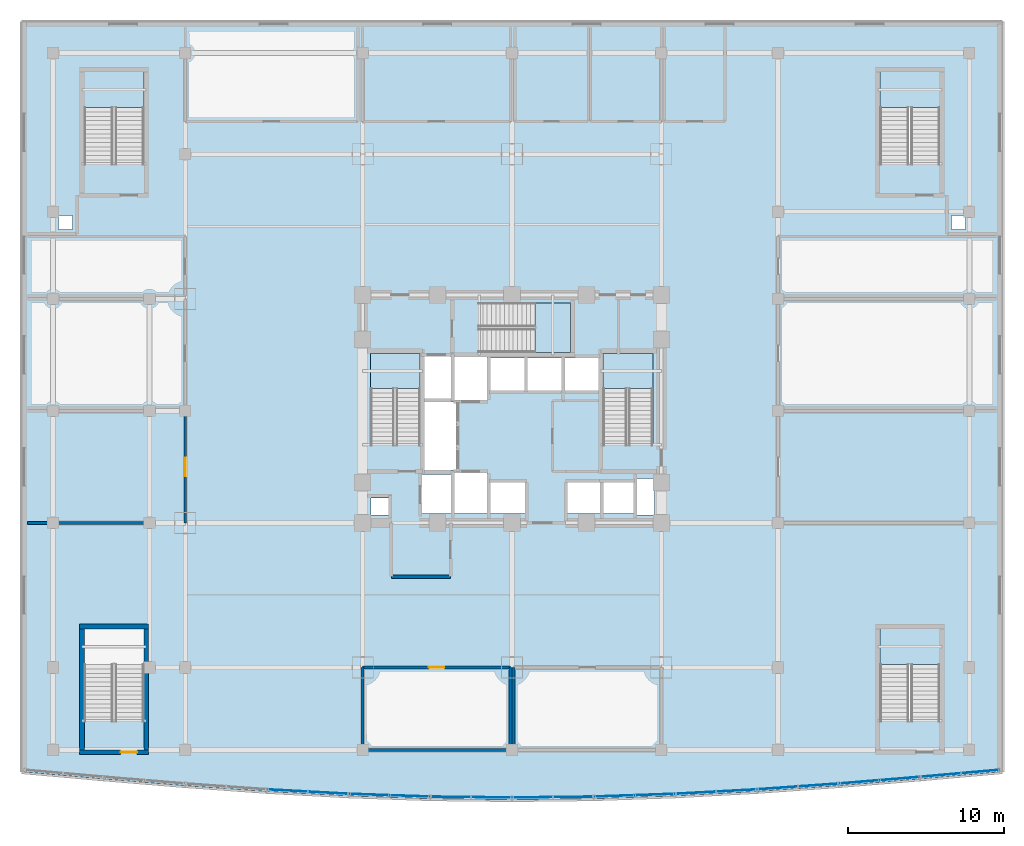
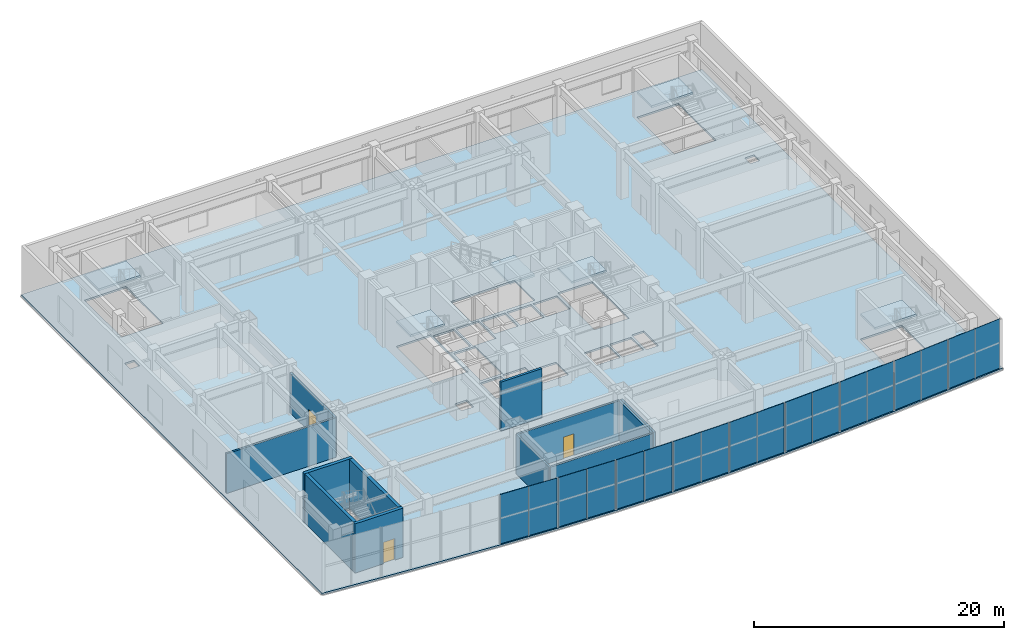
# One storey, part 11 of 24: 18 plates, 12 walls, 7 slabs, 3 doors, 3 openings, 15 elements without a shape of their own.
"""IFC4 building model written with IfcOpenShell, lengths in metres."""

from ifc_helpers import new_model, si_unit, direction, frame, frame_2d, origin, origin_2d, place, context, subcontext, project, spatial, polyline, rectangle, outline, extrude, material, layer, layer_set, type_object, element, fill, aggregate, save


model = new_model("IFC4")

# Units and contexts
model_context = context("Model", 3, precision=1e-05, world=origin(), true_north=direction((0.0, 1.0)))
body_context = subcontext(model_context, "Body", "Model", "MODEL_VIEW")
ifc_project = project(units=[si_unit("LENGTHUNIT", "METRE"), si_unit("AREAUNIT", "SQUARE_METRE"), si_unit("VOLUMEUNIT", "CUBIC_METRE"), si_unit("PLANEANGLEUNIT", "RADIAN"), si_unit("MASSUNIT", "GRAM", prefix="KILO")], contexts=[model_context])

# Site, building, storey
site_placement = place(None, origin())
site = spatial("IfcSite", under=ifc_project, at=site_placement, CompositionType="ELEMENT")
building_placement = place(site_placement, origin())
building = spatial("IfcBuilding", under=site, at=building_placement, Name="Vantalir Tower", CompositionType="ELEMENT")
storey_placement = place(building_placement, frame((0.0, 0.0, 11.0)))
storey = spatial("IfcBuildingStorey", under=building, at=storey_placement, Name="L02", CompositionType="ELEMENT", Elevation=11.0)

# Curtain wall, plates
ifc_material_1 = material(Name="Champagne-silver PVDF aluminium and double-silver Low-E glass", Category="aluminium")
ifc_layer_1 = layer(ifc_material_1, 0.239990234375)
ifc_layer_set_1 = layer_set([ifc_layer_1], Name="Champagne-silver PVDF aluminium and double-silver Low-E glass")
curtain_wall_type = type_object("IfcCurtainWallType", Name="CW-PODIUM-WF", PredefinedType="USERDEFINED", material=ifc_layer_set_1)
curtain_wall_1_placement = place(storey_placement, origin())
curtain_wall_1 = element("IfcCurtainWall", 1, at=curtain_wall_1_placement, inside=storey, type_object=curtain_wall_type, Name="Level 02 Waterfront Stick Curtain Wall 04", ObjectType="STICK CURTAIN WALL", PredefinedType="USERDEFINED")
ifc_material_2 = material(Name="Laminated waterfront podium glass IGU", Category="glass")
ifc_layer_2 = layer(ifc_material_2, 0.0400390625)
ifc_layer_set_2 = layer_set([ifc_layer_2], Name="Laminated waterfront podium glass IGU")
plate_type = type_object("IfcPlateType", Name="CWP-IGU-POD-40", PredefinedType="CURTAIN_PANEL", material=ifc_layer_set_2)
plate_1_placement = place(storey_placement, frame((17.0869140625, 0.593994140625, -0.008056640625), z_axis=(0.0, 0.0, 1.0), x_axis=(0.998519631691, -0.054392509858, 0.0)))
plate_1 = element("IfcPlate", 2, at=plate_1_placement, type_object=plate_type, Name="CW-L02-WF-04 Glazed Panel 1", PredefinedType="CURTAIN_PANEL", context=body_context, shape_type="SweptSolid", body=[
    extrude(rectangle(XDim=2.55908203125, YDim=0.0400390625, at=origin_2d()), origin(), (0.0, 0.0, 1.0), 4.8359375),
])
plate_2_placement = place(storey_placement, frame((19.6630859375, 0.4541015625, -0.008056640625), z_axis=(0.0, 0.0, 1.0), x_axis=(0.998519631691, -0.054392509858, 0.0)))
plate_2 = element("IfcPlate", 3, at=plate_2_placement, type_object=plate_type, Name="CW-L02-WF-04 Glazed Panel 2", PredefinedType="CURTAIN_PANEL", context=body_context, shape_type="SweptSolid", body=[
    extrude(rectangle(XDim=2.55908203125, YDim=0.0400390625, at=origin_2d()), origin(), (0.0, 0.0, 1.0), 4.8359375),
])
aggregate(curtain_wall_1, [plate_1, plate_2])

curtain_wall_2_placement = place(storey_placement, origin())
curtain_wall_2 = element("IfcCurtainWall", 4, at=curtain_wall_2_placement, inside=storey, type_object=curtain_wall_type, Name="Level 02 Waterfront Stick Curtain Wall 05", ObjectType="STICK CURTAIN WALL", PredefinedType="USERDEFINED")
plate_3_placement = place(storey_placement, frame((22.3369140625, 0.3349609375, -0.008056640625), z_axis=(0.0, 0.0, 1.0), x_axis=(0.999412557746, -0.034271554079, 0.0)))
plate_3 = element("IfcPlate", 5, at=plate_3_placement, type_object=plate_type, Name="CW-L02-WF-05 Glazed Panel 1", PredefinedType="CURTAIN_PANEL", context=body_context, shape_type="SweptSolid", body=[
    extrude(rectangle(XDim=2.556884765625, YDim=0.0400390625, at=origin_2d()), origin(), (0.0, 0.0, 1.0), 4.8359375),
])
plate_4_placement = place(storey_placement, frame((24.9130859375, 0.2470703125, -0.008056640625), z_axis=(0.0, 0.0, 1.0), x_axis=(0.999412557746, -0.034271554079, 0.0)))
plate_4 = element("IfcPlate", 6, at=plate_4_placement, type_object=plate_type, Name="CW-L02-WF-05 Glazed Panel 2", PredefinedType="CURTAIN_PANEL", context=body_context, shape_type="SweptSolid", body=[
    extrude(rectangle(XDim=2.556884765625, YDim=0.0400390625, at=origin_2d()), origin(), (0.0, 0.0, 1.0), 4.8359375),
])
aggregate(curtain_wall_2, [plate_3, plate_4])

curtain_wall_3_placement = place(storey_placement, origin())
curtain_wall_3 = element("IfcCurtainWall", 7, at=curtain_wall_3_placement, inside=storey, type_object=curtain_wall_type, Name="Level 02 Waterfront Stick Curtain Wall 06", ObjectType="STICK CURTAIN WALL", PredefinedType="USERDEFINED")
plate_5_placement = place(storey_placement, frame((27.5869140625, 0.18505859375, -0.008056640625), z_axis=(0.0, 0.0, 1.0), x_axis=(0.999932443319, -0.01162363106, 0.0)))
plate_5 = element("IfcPlate", 8, at=plate_5_placement, type_object=plate_type, Name="CW-L02-WF-06 Glazed Panel 1", PredefinedType="CURTAIN_PANEL", context=body_context, shape_type="SweptSolid", body=[
    extrude(rectangle(XDim=2.554931640625, YDim=0.0400390625, at=origin_2d()), origin(), (0.0, 0.0, 1.0), 4.8359375),
])
plate_6_placement = place(storey_placement, frame((30.1630859375, 0.156005859375, -0.008056640625), z_axis=(0.0, 0.0, 1.0), x_axis=(0.999932443319, -0.01162363106, 0.0)))
plate_6 = element("IfcPlate", 9, at=plate_6_placement, type_object=plate_type, Name="CW-L02-WF-06 Glazed Panel 2", PredefinedType="CURTAIN_PANEL", context=body_context, shape_type="SweptSolid", body=[
    extrude(rectangle(XDim=2.554931640625, YDim=0.0400390625, at=origin_2d()), origin(), (0.0, 0.0, 1.0), 4.8359375),
])
aggregate(curtain_wall_3, [plate_5, plate_6])

curtain_wall_4_placement = place(storey_placement, origin())
curtain_wall_4 = element("IfcCurtainWall", 10, at=curtain_wall_4_placement, inside=storey, type_object=curtain_wall_type, Name="Level 02 Waterfront Stick Curtain Wall 07", ObjectType="STICK CURTAIN WALL", PredefinedType="USERDEFINED")
plate_7_placement = place(storey_placement, frame((32.8369140625, 0.156005859375, -0.008056640625), z_axis=(0.0, 0.0, 1.0), x_axis=(0.999932443319, 0.01162363106, 0.0)))
plate_7 = element("IfcPlate", 11, at=plate_7_placement, type_object=plate_type, Name="CW-L02-WF-07 Glazed Panel 1", PredefinedType="CURTAIN_PANEL", context=body_context, shape_type="SweptSolid", body=[
    extrude(rectangle(XDim=2.554931640625, YDim=0.0400390625, at=origin_2d()), origin(), (0.0, 0.0, 1.0), 4.8359375),
])
plate_8_placement = place(storey_placement, frame((35.4130859375, 0.18505859375, -0.008056640625), z_axis=(0.0, 0.0, 1.0), x_axis=(0.999932443319, 0.01162363106, 0.0)))
plate_8 = element("IfcPlate", 12, at=plate_8_placement, type_object=plate_type, Name="CW-L02-WF-07 Glazed Panel 2", PredefinedType="CURTAIN_PANEL", context=body_context, shape_type="SweptSolid", body=[
    extrude(rectangle(XDim=2.554931640625, YDim=0.0400390625, at=origin_2d()), origin(), (0.0, 0.0, 1.0), 4.8359375),
])
aggregate(curtain_wall_4, [plate_7, plate_8])

curtain_wall_5_placement = place(storey_placement, origin())
curtain_wall_5 = element("IfcCurtainWall", 13, at=curtain_wall_5_placement, inside=storey, type_object=curtain_wall_type, Name="Level 02 Waterfront Stick Curtain Wall 08", ObjectType="STICK CURTAIN WALL", PredefinedType="USERDEFINED")
plate_9_placement = place(storey_placement, frame((38.0869140625, 0.2470703125, -0.008056640625), z_axis=(0.0, 0.0, 1.0), x_axis=(0.999412557746, 0.034271554079, 0.0)))
plate_9 = element("IfcPlate", 14, at=plate_9_placement, type_object=plate_type, Name="CW-L02-WF-08 Glazed Panel 1", PredefinedType="CURTAIN_PANEL", context=body_context, shape_type="SweptSolid", body=[
    extrude(rectangle(XDim=2.556884765625, YDim=0.0400390625, at=origin_2d()), origin(), (0.0, 0.0, 1.0), 4.8359375),
])
plate_10_placement = place(storey_placement, frame((40.6630859375, 0.3349609375, -0.008056640625), z_axis=(0.0, 0.0, 1.0), x_axis=(0.999412557746, 0.034271554079, 0.0)))
plate_10 = element("IfcPlate", 15, at=plate_10_placement, type_object=plate_type, Name="CW-L02-WF-08 Glazed Panel 2", PredefinedType="CURTAIN_PANEL", context=body_context, shape_type="SweptSolid", body=[
    extrude(rectangle(XDim=2.556884765625, YDim=0.0400390625, at=origin_2d()), origin(), (0.0, 0.0, 1.0), 4.8359375),
])
aggregate(curtain_wall_5, [plate_9, plate_10])

curtain_wall_6_placement = place(storey_placement, origin())
curtain_wall_6 = element("IfcCurtainWall", 16, at=curtain_wall_6_placement, inside=storey, type_object=curtain_wall_type, Name="Level 02 Waterfront Stick Curtain Wall 09", ObjectType="STICK CURTAIN WALL", PredefinedType="USERDEFINED")
plate_11_placement = place(storey_placement, frame((43.3369140625, 0.4541015625, -0.008056640625), z_axis=(0.0, 0.0, 1.0), x_axis=(0.998519631691, 0.054392509858, 0.0)))
plate_11 = element("IfcPlate", 17, at=plate_11_placement, type_object=plate_type, Name="CW-L02-WF-09 Glazed Panel 1", PredefinedType="CURTAIN_PANEL", context=body_context, shape_type="SweptSolid", body=[
    extrude(rectangle(XDim=2.55908203125, YDim=0.0400390625, at=origin_2d()), origin(), (0.0, 0.0, 1.0), 4.8359375),
])
plate_12_placement = place(storey_placement, frame((45.9130859375, 0.593994140625, -0.008056640625), z_axis=(0.0, 0.0, 1.0), x_axis=(0.998519631691, 0.054392509858, 0.0)))
plate_12 = element("IfcPlate", 18, at=plate_12_placement, type_object=plate_type, Name="CW-L02-WF-09 Glazed Panel 2", PredefinedType="CURTAIN_PANEL", context=body_context, shape_type="SweptSolid", body=[
    extrude(rectangle(XDim=2.55908203125, YDim=0.0400390625, at=origin_2d()), origin(), (0.0, 0.0, 1.0), 4.8359375),
])
aggregate(curtain_wall_6, [plate_11, plate_12])

curtain_wall_7_placement = place(storey_placement, origin())
curtain_wall_7 = element("IfcCurtainWall", 19, at=curtain_wall_7_placement, inside=storey, type_object=curtain_wall_type, Name="Level 02 Waterfront Stick Curtain Wall 10", ObjectType="STICK CURTAIN WALL", PredefinedType="USERDEFINED")
plate_13_placement = place(storey_placement, frame((48.5869140625, 0.761962890625, -0.008056640625), z_axis=(0.0, 0.0, 1.0), x_axis=(0.99748550921, 0.070870719734, 0.0)))
plate_13 = element("IfcPlate", 20, at=plate_13_placement, type_object=plate_type, Name="CW-L02-WF-10 Glazed Panel 1", PredefinedType="CURTAIN_PANEL", context=body_context, shape_type="SweptSolid", body=[
    extrude(rectangle(XDim=2.56201171875, YDim=0.0400390625, at=origin_2d()), origin(), (0.0, 0.0, 1.0), 4.8359375),
])
plate_14_placement = place(storey_placement, frame((51.1630859375, 0.945068359375, -0.008056640625), z_axis=(0.0, 0.0, 1.0), x_axis=(0.99748550921, 0.070870719734, 0.0)))
plate_14 = element("IfcPlate", 21, at=plate_14_placement, type_object=plate_type, Name="CW-L02-WF-10 Glazed Panel 2", PredefinedType="CURTAIN_PANEL", context=body_context, shape_type="SweptSolid", body=[
    extrude(rectangle(XDim=2.56201171875, YDim=0.0400390625, at=origin_2d()), origin(), (0.0, 0.0, 1.0), 4.8359375),
])
aggregate(curtain_wall_7, [plate_13, plate_14])

curtain_wall_8_placement = place(storey_placement, origin())
curtain_wall_8 = element("IfcCurtainWall", 22, at=curtain_wall_8_placement, inside=storey, type_object=curtain_wall_type, Name="Level 02 Waterfront Stick Curtain Wall 11", ObjectType="STICK CURTAIN WALL", PredefinedType="USERDEFINED")
plate_15_placement = place(storey_placement, frame((53.8369140625, 1.15087890625, -0.008056640625), z_axis=(0.0, 0.0, 1.0), x_axis=(0.996600101689, 0.082390759878, 0.0)))
plate_15 = element("IfcPlate", 23, at=plate_15_placement, type_object=plate_type, Name="CW-L02-WF-11 Glazed Panel 1", PredefinedType="CURTAIN_PANEL", context=body_context, shape_type="SweptSolid", body=[
    extrude(rectangle(XDim=2.56396484375, YDim=0.0400390625, at=origin_2d()), origin(), (0.0, 0.0, 1.0), 4.8359375),
])
plate_16_placement = place(storey_placement, frame((56.4130859375, 1.363037109375, -0.008056640625), z_axis=(0.0, 0.0, 1.0), x_axis=(0.996600101689, 0.082390759878, 0.0)))
plate_16 = element("IfcPlate", 24, at=plate_16_placement, type_object=plate_type, Name="CW-L02-WF-11 Glazed Panel 2", PredefinedType="CURTAIN_PANEL", context=body_context, shape_type="SweptSolid", body=[
    extrude(rectangle(XDim=2.56396484375, YDim=0.0400390625, at=origin_2d()), origin(), (0.0, 0.0, 1.0), 4.8359375),
])
aggregate(curtain_wall_8, [plate_15, plate_16])

curtain_wall_9_placement = place(storey_placement, origin())
curtain_wall_9 = element("IfcCurtainWall", 25, at=curtain_wall_9_placement, inside=storey, type_object=curtain_wall_type, Name="Level 02 Waterfront Stick Curtain Wall 12", ObjectType="STICK CURTAIN WALL", PredefinedType="USERDEFINED")
plate_17_placement = place(storey_placement, frame((59.0869140625, 1.593017578125, -0.008056640625), z_axis=(0.0, 0.0, 1.0), x_axis=(0.99608438842, 0.088407528781, 0.0)))
plate_17 = element("IfcPlate", 26, at=plate_17_placement, type_object=plate_type, Name="CW-L02-WF-12 Glazed Panel 1", PredefinedType="CURTAIN_PANEL", context=body_context, shape_type="SweptSolid", body=[
    extrude(rectangle(XDim=2.56494140625, YDim=0.0400390625, at=origin_2d()), origin(), (0.0, 0.0, 1.0), 4.8359375),
])
plate_18_placement = place(storey_placement, frame((61.597900390625, 1.81591796875, -0.008056640625), z_axis=(0.0, 0.0, 1.0), x_axis=(0.99608438842, 0.088407528781, 0.0)))
plate_18 = element("IfcPlate", 27, at=plate_18_placement, type_object=plate_type, Name="CW-L02-WF-12 Glazed Panel 2", PredefinedType="CURTAIN_PANEL", context=body_context, shape_type="SweptSolid", body=[
    extrude(rectangle(XDim=2.43505859375, YDim=0.0400390625, at=origin_2d()), origin(), (0.0, 0.0, 1.0), 4.8359375),
])
aggregate(curtain_wall_9, [plate_17, plate_18])

# Stair, slab
ifc_material_3 = material(Name="Concrete C40/50", Category="concrete")
stair_type_1 = type_object("IfcStairType", Name="STR-CORE-1450", PredefinedType="HALF_TURN_STAIR", material=ifc_material_3)
stair_1_placement = place(storey_placement, origin())
stair_1 = element("IfcStair", 28, at=stair_1_placement, inside=storey, type_object=stair_type_1, Name="Level 02 Core Exit Stair 1", PredefinedType="HALF_TURN_STAIR")
ifc_layer_3 = layer(ifc_material_3, 0.199951171875)
ifc_layer_set_3 = layer_set([ifc_layer_3], Name="Concrete C40/50")
slab_type_1 = type_object("IfcSlabType", Name="SL-LAND-200", PredefinedType="LANDING", material=ifc_layer_set_3)
slab_1_placement = place(storey_placement, frame((0.0, 0.0, 2.300048828125)))
slab_1 = element("IfcSlab", 29, at=slab_1_placement, type_object=slab_type_1, Name="ST1 landing 1", PredefinedType="LANDING", context=body_context, shape_type="SweptSolid", body=[
    extrude(outline(polyline([(25.60009765625, 26.429931640625), (25.60009765625, 28.699951171875), (22.39990234375, 28.699951171875), (22.39990234375, 26.429931640625), (25.60009765625, 26.429931640625)])), origin(), (0.0, 0.0, 1.0), 0.199951171875),
])
aggregate(stair_1, [slab_1])

stair_2_placement = place(storey_placement, origin())
stair_2 = element("IfcStair", 30, at=stair_2_placement, inside=storey, type_object=stair_type_1, Name="Level 02 Core Exit Stair 2", PredefinedType="HALF_TURN_STAIR")
slab_2_placement = place(storey_placement, frame((0.0, 0.0, 2.300048828125)))
slab_2 = element("IfcSlab", 31, at=slab_2_placement, type_object=slab_type_1, Name="ST2 landing 1", PredefinedType="LANDING", context=body_context, shape_type="SweptSolid", body=[
    extrude(outline(polyline([(40.550048828125, 26.429931640625), (40.550048828125, 28.699951171875), (37.35009765625, 28.699951171875), (37.35009765625, 26.429931640625), (40.550048828125, 26.429931640625)])), origin(), (0.0, 0.0, 1.0), 0.199951171875),
])
aggregate(stair_2, [slab_2])

stair_3_placement = place(storey_placement, origin())
stair_3 = element("IfcStair", 32, at=stair_3_placement, inside=storey, type_object=stair_type_1, Name="Level 02 Core Exit Stair 3", PredefinedType="HALF_TURN_STAIR")
slab_3_placement = place(storey_placement, frame((0.0, 0.0, 2.300048828125)))
slab_3 = element("IfcSlab", 33, at=slab_3_placement, type_object=slab_type_1, Name="ST3 landing 1", PredefinedType="LANDING", context=body_context, shape_type="SweptSolid", body=[
    extrude(outline(polyline([(32.97998046875, 28.75), (35.25, 28.75), (35.25, 31.949951171875), (32.97998046875, 31.949951171875), (32.97998046875, 28.75)])), origin(), (0.0, 0.0, 1.0), 0.199951171875),
])
aggregate(stair_3, [slab_3])

stair_type_2 = type_object("IfcStairType", Name="STR-POD-1550", PredefinedType="HALF_TURN_STAIR", material=ifc_material_3)
stair_4_placement = place(storey_placement, origin())
stair_4 = element("IfcStair", 34, at=stair_4_placement, inside=storey, type_object=stair_type_2, Name="Level 02 Podium Exit Stair 1", PredefinedType="HALF_TURN_STAIR")
slab_4_placement = place(storey_placement, frame((0.0, 0.0, 2.300048828125)))
slab_4 = element("IfcSlab", 35, at=slab_4_placement, type_object=slab_type_1, Name="PST1 landing 1", PredefinedType="LANDING", context=body_context, shape_type="SweptSolid", body=[
    extrude(outline(polyline([(7.85009765625, 44.489990234375), (7.85009765625, 46.800048828125), (4.0, 46.800048828125), (4.0, 44.489990234375), (7.85009765625, 44.489990234375)])), origin(), (0.0, 0.0, 1.0), 0.199951171875),
])
aggregate(stair_4, [slab_4])

stair_5_placement = place(storey_placement, origin())
stair_5 = element("IfcStair", 36, at=stair_5_placement, inside=storey, type_object=stair_type_2, Name="Level 02 Podium Exit Stair 2", PredefinedType="HALF_TURN_STAIR")
slab_5_placement = place(storey_placement, frame((0.0, 0.0, 2.300048828125)))
slab_5 = element("IfcSlab", 37, at=slab_5_placement, type_object=slab_type_1, Name="PST2 landing 1", PredefinedType="LANDING", context=body_context, shape_type="SweptSolid", body=[
    extrude(outline(polyline([(59.0, 44.489990234375), (59.0, 46.800048828125), (55.14990234375, 46.800048828125), (55.14990234375, 44.489990234375), (59.0, 44.489990234375)])), origin(), (0.0, 0.0, 1.0), 0.199951171875),
])
aggregate(stair_5, [slab_5])

stair_6_placement = place(storey_placement, origin())
stair_6 = element("IfcStair", 38, at=stair_6_placement, inside=storey, type_object=stair_type_2, Name="Level 02 Podium Exit Stair 4", PredefinedType="HALF_TURN_STAIR")
slab_6_placement = place(storey_placement, frame((0.0, 0.0, 2.300048828125)))
slab_6 = element("IfcSlab", 39, at=slab_6_placement, type_object=slab_type_1, Name="PST4 landing 1", PredefinedType="LANDING", context=body_context, shape_type="SweptSolid", body=[
    extrude(outline(polyline([(59.0, 8.68994140625), (59.0, 11.0), (55.14990234375, 11.0), (55.14990234375, 8.68994140625), (59.0, 8.68994140625)])), origin(), (0.0, 0.0, 1.0), 0.199951171875),
])
aggregate(stair_6, [slab_6])

# Slab
ifc_layer_4 = layer(ifc_material_3, 0.179931640625)
ifc_layer_set_4 = layer_set([ifc_layer_4], Name="Concrete C40/50")
slab_type_2 = type_object("IfcSlabType", Name="SL-TWR-180", PredefinedType="FLOOR", material=ifc_layer_set_4)
slab_7_placement = place(storey_placement, frame((0.0, 0.0, -0.179931640625)))
element("IfcSlab", 40, at=slab_7_placement, inside=storey, type_object=slab_type_2, Name="Level 02 Primary Structural Slab", PredefinedType="FLOOR", context=body_context, shape_type="SweptSolid", body=[
    extrude(outline(polyline([(47.25, 0.527099609375), (52.5, 0.89990234375), (57.75, 1.333984375), (63.0, 1.800048828125), (63.0, 50.0), (0.0, 50.0), (0.0, 1.800048828125), (5.25, 1.333984375), (10.5, 0.89990234375), (15.75, 0.527099609375), (21.0, 0.240966796875), (26.25, 0.06103515625), (31.5, 0.0), (36.75, 0.06103515625), (42.0, 0.240966796875), (47.25, 0.527099609375)]), holes=[polyline([(25.60009765625, 28.699951171875), (25.60009765625, 22.7900390625), (22.39990234375, 22.7900390625), (22.39990234375, 28.699951171875), (25.60009765625, 28.699951171875)]), polyline([(40.550048828125, 22.7900390625), (37.35009765625, 22.7900390625), (37.35009765625, 28.699951171875), (40.550048828125, 28.699951171875), (40.550048828125, 22.7900390625)]), polyline([(29.340087890625, 31.949951171875), (35.25, 31.949951171875), (35.25, 28.75), (29.340087890625, 28.75), (29.340087890625, 31.949951171875)]), polyline([(4.0, 46.800048828125), (7.85009765625, 46.800048828125), (7.85009765625, 40.85009765625), (4.0, 40.85009765625), (4.0, 46.800048828125)]), polyline([(59.0, 46.800048828125), (59.0, 40.85009765625), (55.14990234375, 40.85009765625), (55.14990234375, 46.800048828125), (59.0, 46.800048828125)]), polyline([(7.85009765625, 5.050048828125), (4.0, 5.050048828125), (4.0, 11.0), (7.85009765625, 11.0), (7.85009765625, 5.050048828125)]), polyline([(55.14990234375, 5.050048828125), (55.14990234375, 11.0), (59.0, 11.0), (59.0, 5.050048828125), (55.14990234375, 5.050048828125)]), polyline([(25.699951171875, 20.89990234375), (27.60009765625, 20.89990234375), (27.60009765625, 18.39990234375), (25.699951171875, 18.39990234375), (25.699951171875, 20.89990234375)]), polyline([(27.60009765625, 28.5), (27.60009765625, 25.800048828125), (25.699951171875, 25.800048828125), (25.699951171875, 28.5), (27.60009765625, 28.5)]), polyline([(29.89990234375, 18.39990234375), (27.800048828125, 18.39990234375), (27.800048828125, 21.0), (29.89990234375, 21.0), (29.89990234375, 18.39990234375)]), polyline([(27.800048828125, 25.699951171875), (27.800048828125, 28.5), (29.89990234375, 28.5), (29.89990234375, 25.699951171875), (27.800048828125, 25.699951171875)]), polyline([(30.10009765625, 20.39990234375), (32.39990234375, 20.39990234375), (32.39990234375, 18.39990234375), (30.10009765625, 18.39990234375), (30.10009765625, 20.39990234375)]), polyline([(39.35009765625, 20.39990234375), (39.35009765625, 18.39990234375), (37.35009765625, 18.39990234375), (37.35009765625, 20.39990234375), (39.35009765625, 20.39990234375)]), polyline([(37.199951171875, 18.39990234375), (35.0, 18.39990234375), (35.0, 20.39990234375), (37.199951171875, 20.39990234375), (37.199951171875, 18.39990234375)]), polyline([(30.10009765625, 26.300048828125), (30.10009765625, 28.39990234375), (32.300048828125, 28.39990234375), (32.300048828125, 26.300048828125), (30.10009765625, 26.300048828125)]), polyline([(32.5, 28.39990234375), (34.699951171875, 28.39990234375), (34.699951171875, 26.300048828125), (32.5, 26.300048828125), (32.5, 28.39990234375)]), polyline([(37.10009765625, 28.39990234375), (37.10009765625, 26.300048828125), (34.89990234375, 26.300048828125), (34.89990234375, 28.39990234375), (37.10009765625, 28.39990234375)]), polyline([(27.89990234375, 21.199951171875), (25.889892578125, 21.199951171875), (25.889892578125, 25.56005859375), (27.89990234375, 25.56005859375), (27.89990234375, 21.199951171875)]), polyline([(22.449951171875, 18.300048828125), (22.449951171875, 19.39990234375), (23.550048828125, 19.39990234375), (23.550048828125, 18.300048828125), (22.449951171875, 18.300048828125)]), polyline([(39.550048828125, 20.64990234375), (40.64990234375, 20.64990234375), (40.64990234375, 18.300048828125), (39.550048828125, 18.300048828125), (39.550048828125, 20.64990234375)]), polyline([(3.25, 37.550048828125), (3.25, 36.64990234375), (2.35009765625, 36.64990234375), (2.35009765625, 37.550048828125), (3.25, 37.550048828125)]), polyline([(60.64990234375, 36.64990234375), (59.75, 36.64990234375), (59.75, 37.550048828125), (60.64990234375, 37.550048828125), (60.64990234375, 36.64990234375)])]), origin(), (0.0, 0.0, 1.0), 0.179931640625),
])

# Walls
ifc_material_4 = material(Name="Concrete blockwork with fireboard lining", Category="masonry")
ifc_layer_5 = layer(ifc_material_4, 0.219970703125)
ifc_layer_set_5 = layer_set([ifc_layer_5], Name="Concrete blockwork with fireboard lining")
wall_type_1 = type_object("IfcWallType", Name="WL-FFL-220", PredefinedType="PARTITIONING", material=ifc_layer_set_5)
wall_1_placement = place(storey_placement, frame((23.75, 14.35009765625, 0.0), z_axis=(0.0, 0.0, 1.0), x_axis=(1.0, 0.0, 0.0)))
element("IfcWall", 41, at=wall_1_placement, inside=storey, type_object=wall_type_1, Name="Floor 2 Firefighting Lobby West South Wall", PredefinedType="PARTITIONING", context=body_context, shape_type="SweptSolid", body=[
    extrude(rectangle(XDim=3.800048828125, YDim=0.219970703125, at=frame_2d((1.89990234375, 0.0))), origin(), (0.0, 0.0, 1.0), 4.800048828125),
])
ifc_material_5 = material(Name="Twin-stud acoustic fire-rated gypsum partition", Category="gypsum")
ifc_layer_6 = layer(ifc_material_5, 0.179931640625)
ifc_layer_set_6 = layer_set([ifc_layer_6], Name="Twin-stud acoustic fire-rated gypsum partition")
wall_type_2 = type_object("IfcWallType", Name="WL-GUEST-180", PredefinedType="PARTITIONING", material=ifc_layer_set_6)
wall_2_placement = place(storey_placement, frame((0.35009765625, 17.800048828125, 0.0), z_axis=(0.0, 0.0, 1.0), x_axis=(1.0, 0.0, 0.0)))
element("IfcWall", 42, at=wall_2_placement, inside=storey, type_object=wall_type_2, Name="Floor 2 Conference Hall A South Wall", PredefinedType="PARTITIONING", context=body_context, shape_type="SweptSolid", body=[
    extrude(rectangle(XDim=10.14990234375, YDim=0.179931640625, at=frame_2d((5.074951171875, 0.0))), origin(), (0.0, 0.0, 1.0), 3.867919921875),
])

# Wall, opening, door
wall_3_placement = place(storey_placement, frame((10.5, 17.800048828125, 0.0), z_axis=(0.0, 0.0, 1.0), x_axis=(0.0, 1.0, 0.0)))
wall_3 = element("IfcWall", 43, at=wall_3_placement, inside=storey, type_object=wall_type_2, Name="Floor 2 Conference Hall A East Wall", PredefinedType="PARTITIONING", context=body_context, shape_type="SweptSolid", body=[
    extrude(rectangle(XDim=7.199951171875, YDim=0.179931640625, at=frame_2d((3.60009765625, 0.0))), origin(), (0.0, 0.0, 1.0), 3.867919921875),
])
opening_1_placement = place(wall_3_placement, frame((3.0, 0.0, 0.0)))
opening_1 = element("IfcOpeningElement", 44, at=opening_1_placement, cuts=wall_3, Name="Opening D-STE", PredefinedType="OPENING", context=body_context, shape_type="SweptSolid", body=[
    extrude(rectangle(XDim=1.199951171875, YDim=2.10009765625, at=frame_2d((0.60009765625, 1.050048828125))), frame((0.0, 0.099853515625, 0.0), z_axis=(0.0, -1.0, 0.0), x_axis=(1.0, 0.0, 0.0)), (0.0, 0.0, 1.0), 0.199951171875),
])
ifc_material_6 = material(Name="Solid-core teak veneer suite entrance door", Category="wood")
door_type_1 = type_object("IfcDoorType", Name="DR-SUITE-ENTRY-1200", OperationType="NOTDEFINED", PredefinedType="DOOR", material=ifc_material_6)
door_1_placement = place(opening_1_placement, origin())
door_1 = element("IfcDoor", 45, at=door_1_placement, inside=storey, type_object=door_type_1, Name="Floor 2 Conference Hall A Door", OperationType="SINGLE_SWING_LEFT", OverallHeight=2.10009765625, OverallWidth=1.199951171875, PredefinedType="DOOR", context=body_context, shape_type="SweptSolid", body=[
    extrude(rectangle(XDim=1.199951171875, YDim=2.10009765625, at=frame_2d((0.60009765625, 1.050048828125))), frame((0.0, 0.02490234375, 0.0), z_axis=(0.0, -1.0, 0.0), x_axis=(1.0, 0.0, 0.0)), (0.0, 0.0, 1.0), 0.050048828125),
])
fill(opening_1, door_1)

# Wall
wall_4_placement = place(storey_placement, frame((21.89990234375, 3.199951171875, 0.0), z_axis=(0.0, 0.0, 1.0), x_axis=(1.0, 0.0, 0.0)))
element("IfcWall", 46, at=wall_4_placement, inside=storey, type_object=wall_type_2, Name="Floor 2 Executive Boardroom 1 South Wall", PredefinedType="PARTITIONING", context=body_context, shape_type="SweptSolid", body=[
    extrude(rectangle(XDim=9.5, YDim=0.179931640625, at=frame_2d((4.75, 0.0))), origin(), (0.0, 0.0, 1.0), 3.867919921875),
])

# Wall, opening, door
wall_5_placement = place(storey_placement, frame((21.89990234375, 8.5, 0.0), z_axis=(0.0, 0.0, 1.0), x_axis=(1.0, 0.0, 0.0)))
wall_5 = element("IfcWall", 47, at=wall_5_placement, inside=storey, type_object=wall_type_2, Name="Floor 2 Executive Boardroom 1 North Wall", PredefinedType="PARTITIONING", context=body_context, shape_type="SweptSolid", body=[
    extrude(rectangle(XDim=9.5, YDim=0.179931640625, at=frame_2d((4.75, 0.0))), origin(), (0.0, 0.0, 1.0), 3.867919921875),
])
opening_2_placement = place(wall_5_placement, frame((4.25, 0.0, 0.0)))
opening_2 = element("IfcOpeningElement", 48, at=opening_2_placement, cuts=wall_5, Name="Opening D-GUEST", PredefinedType="OPENING", context=body_context, shape_type="SweptSolid", body=[
    extrude(rectangle(XDim=1.0, YDim=2.10009765625, at=frame_2d((0.5, 1.050048828125))), frame((0.0, 0.099853515625, 0.0), z_axis=(0.0, -1.0, 0.0), x_axis=(1.0, 0.0, 0.0)), (0.0, 0.0, 1.0), 0.199951171875),
])
ifc_material_7 = material(Name="Solid-core teak veneer acoustic fire door", Category="wood")
door_type_2 = type_object("IfcDoorType", Name="DR-GUEST-ENTRY-1000", OperationType="NOTDEFINED", PredefinedType="DOOR", material=ifc_material_7)
door_2_placement = place(opening_2_placement, frame((1.0, 0.0, 0.0), z_axis=(0.0, 0.0, 1.0), x_axis=(-1.0, 0.0, 0.0)))
door_2 = element("IfcDoor", 49, at=door_2_placement, inside=storey, type_object=door_type_2, Name="Floor 2 Executive Boardroom 1 Door", OperationType="SINGLE_SWING_LEFT", OverallHeight=2.10009765625, OverallWidth=1.0, PredefinedType="DOOR", context=body_context, shape_type="SweptSolid", body=[
    extrude(rectangle(XDim=1.0, YDim=2.10009765625, at=frame_2d((0.5, 1.050048828125))), frame((0.0, 0.02490234375, 0.0), z_axis=(0.0, -1.0, 0.0), x_axis=(1.0, 0.0, 0.0)), (0.0, 0.0, 1.0), 0.050048828125),
])
fill(opening_2, door_2)

# Walls
for number, where, z_axis, x_axis, name in (
    (50, (21.89990234375, 3.199951171875, 0.0), (0.0, 0.0, 1.0), (0.0, 1.0, 0.0), "Floor 2 Executive Boardroom 1 West Wall"),
    (51, (31.39990234375, 3.199951171875, 0.0), (0.0, 0.0, 1.0), (0.0, 1.0, 0.0), "Floor 2 Executive Boardroom 1 East Wall"),
    (52, (31.60009765625, 3.199951171875, 0.0), (0.0, 0.0, 1.0), (0.0, 1.0, 0.0), "Floor 2 Executive Boardroom 2 West Wall"),
):
    element("IfcWall", number, at=place(storey_placement, frame(where, z_axis=z_axis, x_axis=x_axis)), inside=storey, type_object=wall_type_2, Name=name, PredefinedType="PARTITIONING", context=body_context, shape_type="SweptSolid", body=[
        extrude(rectangle(XDim=5.300048828125, YDim=0.179931640625, at=frame_2d((2.64990234375, 0.0))), origin(), (0.0, 0.0, 1.0), 3.867919921875),
    ])

# Wall, opening, door
ifc_material_8 = material(Name="Concrete C50/60", Category="concrete")
ifc_layer_7 = layer(ifc_material_8, 0.300048828125)
ifc_layer_set_7 = layer_set([ifc_layer_7], Name="Concrete C50/60")
wall_type_3 = type_object("IfcWallType", Name="WL-STAIR-300", PredefinedType="SHEAR", material=ifc_layer_set_7)
wall_6_placement = place(storey_placement, frame((3.699951171875, 3.06005859375, 0.0), z_axis=(0.0, 0.0, 1.0), x_axis=(1.0, 0.0, 0.0)))
wall_6 = element("IfcWall", 53, at=wall_6_placement, inside=storey, type_object=wall_type_3, Name="Floor 2 PST3 South Wall", PredefinedType="SHEAR", context=body_context, shape_type="SweptSolid", body=[
    extrude(rectangle(XDim=4.449951171875, YDim=0.300048828125, at=frame_2d((2.22509765625, 0.0))), origin(), (0.0, 0.0, 1.0), 4.820068359375),
])
opening_3_placement = place(wall_6_placement, frame((2.64990234375, 0.0, 0.0)))
opening_3 = element("IfcOpeningElement", 54, at=opening_3_placement, cuts=wall_6, Name="Opening D-ST", PredefinedType="OPENING", context=body_context, shape_type="SweptSolid", body=[
    extrude(rectangle(XDim=1.050048828125, YDim=2.10009765625, at=frame_2d((0.52490234375, 1.050048828125))), frame((0.0, 0.159912109375, 0.0), z_axis=(0.0, -1.0, 0.0), x_axis=(1.0, 0.0, 0.0)), (0.0, 0.0, 1.0), 0.320068359375),
])
ifc_material_9 = material(Name="Fire-rated steel door leaf", Category="steel")
door_type_3 = type_object("IfcDoorType", Name="DR-FIRE-STAIR-1050", OperationType="NOTDEFINED", PredefinedType="DOOR", material=ifc_material_9)
door_3_placement = place(opening_3_placement, origin())
door_3 = element("IfcDoor", 55, at=door_3_placement, inside=storey, type_object=door_type_3, Name="Floor 2 Podium Stair PST3 Fire Door", OperationType="SINGLE_SWING_LEFT", OverallHeight=2.10009765625, OverallWidth=1.050048828125, PredefinedType="DOOR", context=body_context, shape_type="SweptSolid", body=[
    extrude(rectangle(XDim=1.050048828125, YDim=2.10009765625, at=frame_2d((0.52490234375, 1.050048828125))), frame((0.0, 0.02490234375, 0.0), z_axis=(0.0, -1.0, 0.0), x_axis=(1.0, 0.0, 0.0)), (0.0, 0.0, 1.0), 0.050048828125),
])
fill(opening_3, door_3)

# Walls
wall_7_placement = place(storey_placement, frame((3.699951171875, 11.139892578125, 0.0), z_axis=(0.0, 0.0, 1.0), x_axis=(1.0, 0.0, 0.0)))
element("IfcWall", 56, at=wall_7_placement, inside=storey, type_object=wall_type_3, Name="Floor 2 PST3 North Wall", PredefinedType="SHEAR", context=body_context, shape_type="SweptSolid", body=[
    extrude(rectangle(XDim=4.449951171875, YDim=0.300048828125, at=frame_2d((2.22509765625, 0.0))), origin(), (0.0, 0.0, 1.0), 4.820068359375),
])
for number, where, z_axis, x_axis, name in (
    (57, (3.860107421875, 3.06005859375, 0.0), (0.0, 0.0, 1.0), (0.0, 1.0, 0.0), "Floor 2 PST3 West Wall"),
    (58, (7.989990234375, 3.06005859375, 0.0), (0.0, 0.0, 1.0), (0.0, 1.0, 0.0), "Floor 2 PST3 East Wall"),
):
    element("IfcWall", number, at=place(storey_placement, frame(where, z_axis=z_axis, x_axis=x_axis)), inside=storey, type_object=wall_type_3, Name=name, PredefinedType="SHEAR", context=body_context, shape_type="SweptSolid", body=[
        extrude(rectangle(XDim=8.079833984375, YDim=0.300048828125, at=frame_2d((4.0400390625, 0.0))), origin(), (0.0, 0.0, 1.0), 4.820068359375),
    ])

save(model, "model.ifc")
